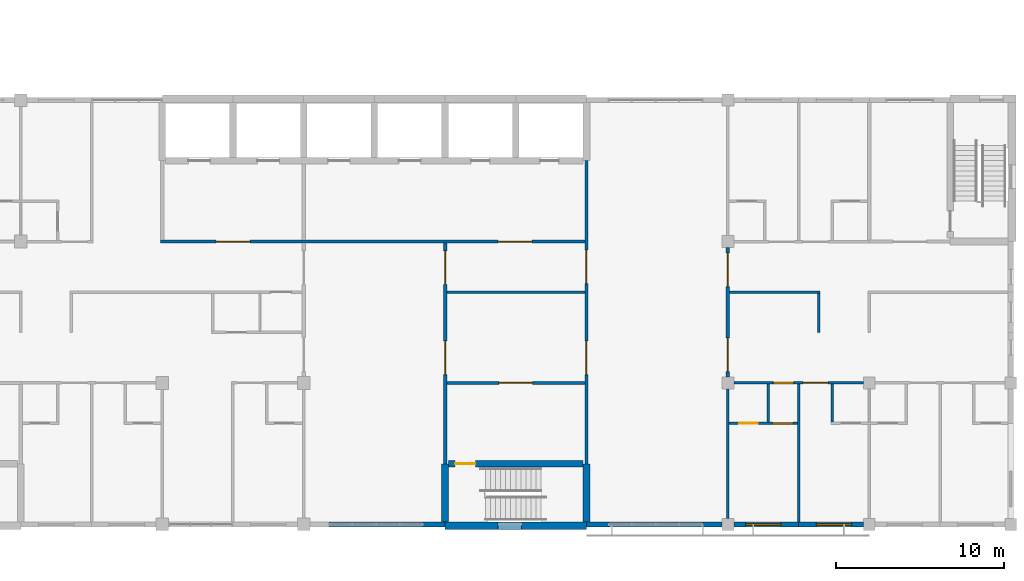
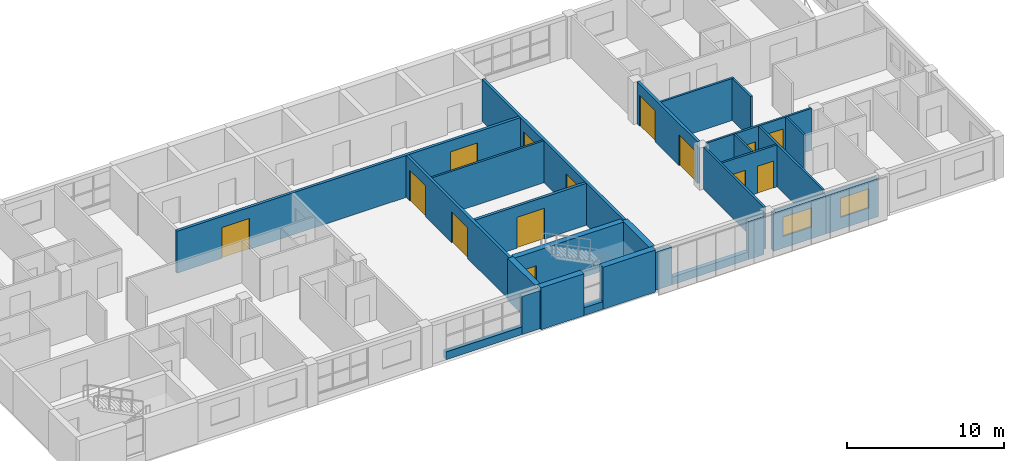
# One storey, part 36 of 46: 27 walls, 14 doors, 2 windows, 16 openings.
"""IFC4 building model written with IfcOpenShell, lengths in metres."""

from ifc_helpers import new_model, si_unit, direction, frame, frame_2d, origin, place, context, subcontext, project, spatial, rectangle, extrude, material, layer, layer_set, type_object, element, fill, save


model = new_model("IFC4")

# Units and contexts
model_context = context("Model", 3, precision=1e-05, world=origin(), true_north=direction((0.0, 1.0)))
body_context = subcontext(model_context, "Body", "Model", "MODEL_VIEW")
ifc_project = project(units=[si_unit("LENGTHUNIT", "METRE"), si_unit("AREAUNIT", "SQUARE_METRE"), si_unit("VOLUMEUNIT", "CUBIC_METRE"), si_unit("PLANEANGLEUNIT", "RADIAN"), si_unit("MASSUNIT", "GRAM", prefix="KILO")], contexts=[model_context])

# Site, building, storey
site_placement = place(None, origin())
site = spatial("IfcSite", under=ifc_project, at=site_placement, CompositionType="ELEMENT")
building_placement = place(site_placement, origin())
building = spatial("IfcBuilding", under=site, at=building_placement, Name="Yavir Park General Hospital", CompositionType="ELEMENT")
storey_placement = place(building_placement, frame((0.0, 0.0, 18.89990234375)))
storey = spatial("IfcBuildingStorey", under=building, at=storey_placement, Name="L04", CompositionType="ELEMENT", Elevation=18.89990234375)

# Wall, opening, door
ifc_material_1 = material(Name="Double gypsum board fire partition on steel studs", Category="steel")
ifc_layer_1 = layer(ifc_material_1, 0.199951171875)
ifc_layer_set_1 = layer_set([ifc_layer_1], Name="Double gypsum board fire partition on steel studs")
wall_type_1 = type_object("IfcWallType", Name="Fire-rated partition 200, EI 60", PredefinedType="PARTITIONING", material=ifc_layer_set_1)
wall_1_placement = place(storey_placement, frame((134.5, 8.39990234375, 0.0), z_axis=(0.0, 0.0, 1.0), x_axis=(1.0, 0.0, 0.0)))
wall_1 = element("IfcWall", 1, at=wall_1_placement, inside=storey, type_object=wall_type_1, Name="FP20 L04-021", PredefinedType="PARTITIONING", context=body_context, shape_type="SweptSolid", body=[
    extrude(rectangle(XDim=8.199951171875, YDim=0.199951171875, at=frame_2d((4.10009765625, 0.0))), origin(), (0.0, 0.0, 1.0), 3.260009765625),
])
opening_1_placement = place(wall_1_placement, frame((3.10009765625, 0.0, 0.0)))
opening_1 = element("IfcOpeningElement", 2, at=opening_1_placement, cuts=wall_1, Name="Opening L04.D027", PredefinedType="OPENING", context=body_context, shape_type="SweptSolid", body=[
    extrude(rectangle(XDim=2.0, YDim=2.39990234375, at=frame_2d((1.0, 1.199951171875))), frame((0.0, 0.10986328125, 0.0), z_axis=(0.0, -1.0, 0.0), x_axis=(1.0, 0.0, 0.0)), (0.0, 0.0, 1.0), 0.219970703125),
])
ifc_material_2 = material(Name="Steel frame, fire-resisting leaves with vision panels", Category="steel")
door_type_1 = type_object("IfcDoorType", Name="Double fire door with vision panels 2000 x 2400, EI 60", OperationType="DOUBLE_DOOR_SINGLE_SWING", PredefinedType="DOOR", material=ifc_material_2)
door_1_placement = place(opening_1_placement, origin())
door_1 = element("IfcDoor", 3, at=door_1_placement, inside=storey, type_object=door_type_1, Name="L04.D027", OperationType="SINGLE_SWING_LEFT", OverallHeight=2.39990234375, OverallWidth=2.0, PredefinedType="DOOR", context=body_context, shape_type="SweptSolid", body=[
    extrude(rectangle(XDim=2.0, YDim=2.39990234375, at=frame_2d((1.0, 1.199951171875))), frame((0.0, 0.030029296875, 0.0), z_axis=(0.0, -1.0, 0.0), x_axis=(1.0, 0.0, 0.0)), (0.0, 0.0, 1.0), 0.06005859375),
])
fill(opening_1, door_1)

# Wall, openings, doors
wall_2_placement = place(storey_placement, frame((117.5, 16.800048828125, 0.0), z_axis=(0.0, 0.0, 1.0), x_axis=(1.0, 0.0, 0.0)))
wall_2 = element("IfcWall", 4, at=wall_2_placement, inside=storey, type_object=wall_type_1, Name="FP20 L04-043", PredefinedType="PARTITIONING", context=body_context, shape_type="SweptSolid", body=[
    extrude(rectangle(XDim=25.199951171875, YDim=0.199951171875, at=frame_2d((12.60009765625, 0.0))), origin(), (0.0, 0.0, 1.0), 3.260009765625),
])
opening_2_placement = place(wall_2_placement, frame((3.300048828125, 0.0, 0.0)))
opening_2 = element("IfcOpeningElement", 5, at=opening_2_placement, cuts=wall_2, Name="Opening L04.D044", PredefinedType="OPENING", context=body_context, shape_type="SweptSolid", body=[
    extrude(rectangle(XDim=2.0, YDim=2.39990234375, at=frame_2d((1.0, 1.199951171875))), frame((0.0, 0.10986328125, 0.0), z_axis=(0.0, -1.0, 0.0), x_axis=(1.0, 0.0, 0.0)), (0.0, 0.0, 1.0), 0.219970703125),
])
opening_3_placement = place(wall_2_placement, frame((20.050048828125, 0.0, 0.0)))
opening_3 = element("IfcOpeningElement", 6, at=opening_3_placement, cuts=wall_2, Name="Opening L04.D045", PredefinedType="OPENING", context=body_context, shape_type="SweptSolid", body=[
    extrude(rectangle(XDim=2.0, YDim=2.39990234375, at=frame_2d((1.0, 1.199951171875))), frame((0.0, 0.10986328125, 0.0), z_axis=(0.0, -1.0, 0.0), x_axis=(1.0, 0.0, 0.0)), (0.0, 0.0, 1.0), 0.219970703125),
])
door_2_placement = place(opening_2_placement, origin())
door_2 = element("IfcDoor", 7, at=door_2_placement, inside=storey, type_object=door_type_1, Name="L04.D044", OperationType="SINGLE_SWING_RIGHT", OverallHeight=2.39990234375, OverallWidth=2.0, PredefinedType="DOOR", context=body_context, shape_type="SweptSolid", body=[
    extrude(rectangle(XDim=2.0, YDim=2.39990234375, at=frame_2d((1.0, 1.199951171875))), frame((0.0, 0.030029296875, 0.0), z_axis=(0.0, -1.0, 0.0), x_axis=(1.0, 0.0, 0.0)), (0.0, 0.0, 1.0), 0.06005859375),
])
fill(opening_2, door_2)
door_3_placement = place(opening_3_placement, origin())
door_3 = element("IfcDoor", 8, at=door_3_placement, inside=storey, type_object=door_type_1, Name="L04.D045", OperationType="SINGLE_SWING_LEFT", OverallHeight=2.39990234375, OverallWidth=2.0, PredefinedType="DOOR", context=body_context, shape_type="SweptSolid", body=[
    extrude(rectangle(XDim=2.0, YDim=2.39990234375, at=frame_2d((1.0, 1.199951171875))), frame((0.0, 0.030029296875, 0.0), z_axis=(0.0, -1.0, 0.0), x_axis=(1.0, 0.0, 0.0)), (0.0, 0.0, 1.0), 0.06005859375),
])
fill(opening_3, door_3)

wall_3_placement = place(storey_placement, frame((134.39990234375, 3.60009765625, 0.0), z_axis=(0.0, 0.0, 1.0), x_axis=(0.0, 1.0, 0.0)))
wall_3 = element("IfcWall", 9, at=wall_3_placement, inside=storey, type_object=wall_type_1, Name="FP20 L04-253", PredefinedType="PARTITIONING", context=body_context, shape_type="SweptSolid", body=[
    extrude(rectangle(XDim=13.099853515625, YDim=0.199951171875, at=frame_2d((6.5498046875, 0.0))), origin(), (0.0, 0.0, 1.0), 3.260009765625),
])
opening_4_placement = place(wall_3_placement, frame((5.300048828125, 0.0, 0.0)))
opening_4 = element("IfcOpeningElement", 10, at=opening_4_placement, cuts=wall_3, Name="Opening L04.D147", PredefinedType="OPENING", context=body_context, shape_type="SweptSolid", body=[
    extrude(rectangle(XDim=2.0, YDim=2.39990234375, at=frame_2d((1.0, 1.199951171875))), frame((0.0, 0.10986328125, 0.0), z_axis=(0.0, -1.0, 0.0), x_axis=(1.0, 0.0, 0.0)), (0.0, 0.0, 1.0), 0.219970703125),
])
opening_5_placement = place(wall_3_placement, frame((10.64990234375, 0.0, 0.0)))
opening_5 = element("IfcOpeningElement", 11, at=opening_5_placement, cuts=wall_3, Name="Opening L04.D148", PredefinedType="OPENING", context=body_context, shape_type="SweptSolid", body=[
    extrude(rectangle(XDim=2.0, YDim=2.39990234375, at=frame_2d((1.0, 1.199951171875))), frame((0.0, 0.10986328125, 0.0), z_axis=(0.0, -1.0, 0.0), x_axis=(1.0, 0.0, 0.0)), (0.0, 0.0, 1.0), 0.219970703125),
])
door_4_placement = place(opening_4_placement, origin())
door_4 = element("IfcDoor", 12, at=door_4_placement, inside=storey, type_object=door_type_1, Name="L04.D147", OperationType="SINGLE_SWING_LEFT", OverallHeight=2.39990234375, OverallWidth=2.0, PredefinedType="DOOR", context=body_context, shape_type="SweptSolid", body=[
    extrude(rectangle(XDim=2.0, YDim=2.39990234375, at=frame_2d((1.0, 1.199951171875))), frame((0.0, 0.030029296875, 0.0), z_axis=(0.0, -1.0, 0.0), x_axis=(1.0, 0.0, 0.0)), (0.0, 0.0, 1.0), 0.06005859375),
])
fill(opening_4, door_4)
door_5_placement = place(opening_5_placement, origin())
door_5 = element("IfcDoor", 13, at=door_5_placement, inside=storey, type_object=door_type_1, Name="L04.D148", OperationType="SINGLE_SWING_LEFT", OverallHeight=2.39990234375, OverallWidth=2.0, PredefinedType="DOOR", context=body_context, shape_type="SweptSolid", body=[
    extrude(rectangle(XDim=2.0, YDim=2.39990234375, at=frame_2d((1.0, 1.199951171875))), frame((0.0, 0.030029296875, 0.0), z_axis=(0.0, -1.0, 0.0), x_axis=(1.0, 0.0, 0.0)), (0.0, 0.0, 1.0), 0.06005859375),
])
fill(opening_5, door_5)

wall_4_placement = place(storey_placement, frame((142.800048828125, 3.60009765625, 0.0), z_axis=(0.0, 0.0, 1.0), x_axis=(0.0, 1.0, 0.0)))
wall_4 = element("IfcWall", 14, at=wall_4_placement, inside=storey, type_object=wall_type_1, Name="FP20 L04-257", PredefinedType="PARTITIONING", context=body_context, shape_type="SweptSolid", body=[
    extrude(rectangle(XDim=18.0, YDim=0.199951171875, at=frame_2d((9.0, 0.0))), origin(), (0.0, 0.0, 1.0), 3.260009765625),
])
opening_6_placement = place(wall_4_placement, frame((5.300048828125, 0.0, 0.0)))
opening_6 = element("IfcOpeningElement", 15, at=opening_6_placement, cuts=wall_4, Name="Opening L04.D149", PredefinedType="OPENING", context=body_context, shape_type="SweptSolid", body=[
    extrude(rectangle(XDim=2.0, YDim=2.39990234375, at=frame_2d((1.0, 1.199951171875))), frame((0.0, 0.10986328125, 0.0), z_axis=(0.0, -1.0, 0.0), x_axis=(1.0, 0.0, 0.0)), (0.0, 0.0, 1.0), 0.219970703125),
])
opening_7_placement = place(wall_4_placement, frame((10.699951171875, 0.0, 0.0)))
opening_7 = element("IfcOpeningElement", 16, at=opening_7_placement, cuts=wall_4, Name="Opening L04.D150", PredefinedType="OPENING", context=body_context, shape_type="SweptSolid", body=[
    extrude(rectangle(XDim=2.0, YDim=2.39990234375, at=frame_2d((1.0, 1.199951171875))), frame((0.0, 0.10986328125, 0.0), z_axis=(0.0, -1.0, 0.0), x_axis=(1.0, 0.0, 0.0)), (0.0, 0.0, 1.0), 0.219970703125),
])
door_6_placement = place(opening_6_placement, origin())
door_6 = element("IfcDoor", 17, at=door_6_placement, inside=storey, type_object=door_type_1, Name="L04.D149", OperationType="SINGLE_SWING_RIGHT", OverallHeight=2.39990234375, OverallWidth=2.0, PredefinedType="DOOR", context=body_context, shape_type="SweptSolid", body=[
    extrude(rectangle(XDim=2.0, YDim=2.39990234375, at=frame_2d((1.0, 1.199951171875))), frame((0.0, 0.030029296875, 0.0), z_axis=(0.0, -1.0, 0.0), x_axis=(1.0, 0.0, 0.0)), (0.0, 0.0, 1.0), 0.06005859375),
])
fill(opening_6, door_6)
door_7_placement = place(opening_7_placement, origin())
door_7 = element("IfcDoor", 18, at=door_7_placement, inside=storey, type_object=door_type_1, Name="L04.D150", OperationType="SINGLE_SWING_RIGHT", OverallHeight=2.39990234375, OverallWidth=2.0, PredefinedType="DOOR", context=body_context, shape_type="SweptSolid", body=[
    extrude(rectangle(XDim=2.0, YDim=2.39990234375, at=frame_2d((1.0, 1.199951171875))), frame((0.0, 0.030029296875, 0.0), z_axis=(0.0, -1.0, 0.0), x_axis=(1.0, 0.0, 0.0)), (0.0, 0.0, 1.0), 0.06005859375),
])
fill(opening_7, door_7)

wall_5_placement = place(storey_placement, frame((151.199951171875, 8.75, 0.0), z_axis=(0.0, 0.0, 1.0), x_axis=(0.0, 1.0, 0.0)))
wall_5 = element("IfcWall", 19, at=wall_5_placement, inside=storey, type_object=wall_type_1, Name="FP20 L04-260", PredefinedType="PARTITIONING", context=body_context, shape_type="SweptSolid", body=[
    extrude(rectangle(XDim=7.699951171875, YDim=0.199951171875, at=frame_2d((3.85009765625, 0.0))), origin(), (0.0, 0.0, 1.0), 3.260009765625),
])
opening_8_placement = place(wall_5_placement, frame((0.324951171875, 0.0, 0.0)))
opening_8 = element("IfcOpeningElement", 20, at=opening_8_placement, cuts=wall_5, Name="Opening L04.D151", PredefinedType="OPENING", context=body_context, shape_type="SweptSolid", body=[
    extrude(rectangle(XDim=2.0, YDim=2.39990234375, at=frame_2d((1.0, 1.199951171875))), frame((0.0, 0.10986328125, 0.0), z_axis=(0.0, -1.0, 0.0), x_axis=(1.0, 0.0, 0.0)), (0.0, 0.0, 1.0), 0.219970703125),
])
opening_9_placement = place(wall_5_placement, frame((5.375, 0.0, 0.0)))
opening_9 = element("IfcOpeningElement", 21, at=opening_9_placement, cuts=wall_5, Name="Opening L04.D152", PredefinedType="OPENING", context=body_context, shape_type="SweptSolid", body=[
    extrude(rectangle(XDim=2.0, YDim=2.39990234375, at=frame_2d((1.0, 1.199951171875))), frame((0.0, 0.10986328125, 0.0), z_axis=(0.0, -1.0, 0.0), x_axis=(1.0, 0.0, 0.0)), (0.0, 0.0, 1.0), 0.219970703125),
])
door_8_placement = place(opening_8_placement, origin())
door_8 = element("IfcDoor", 22, at=door_8_placement, inside=storey, type_object=door_type_1, Name="L04.D151", OperationType="SINGLE_SWING_RIGHT", OverallHeight=2.39990234375, OverallWidth=2.0, PredefinedType="DOOR", context=body_context, shape_type="SweptSolid", body=[
    extrude(rectangle(XDim=2.0, YDim=2.39990234375, at=frame_2d((1.0, 1.199951171875))), frame((0.0, 0.030029296875, 0.0), z_axis=(0.0, -1.0, 0.0), x_axis=(1.0, 0.0, 0.0)), (0.0, 0.0, 1.0), 0.06005859375),
])
fill(opening_8, door_8)
door_9_placement = place(opening_9_placement, origin())
door_9 = element("IfcDoor", 23, at=door_9_placement, inside=storey, type_object=door_type_1, Name="L04.D152", OperationType="SINGLE_SWING_LEFT", OverallHeight=2.39990234375, OverallWidth=2.0, PredefinedType="DOOR", context=body_context, shape_type="SweptSolid", body=[
    extrude(rectangle(XDim=2.0, YDim=2.39990234375, at=frame_2d((1.0, 1.199951171875))), frame((0.0, 0.030029296875, 0.0), z_axis=(0.0, -1.0, 0.0), x_axis=(1.0, 0.0, 0.0)), (0.0, 0.0, 1.0), 0.06005859375),
])
fill(opening_9, door_9)

ifc_material_3 = material(Name="Gypsum board partition on steel studs", Category="steel")
ifc_layer_2 = layer(ifc_material_3, 0.14990234375)
ifc_layer_set_2 = layer_set([ifc_layer_2], Name="Gypsum board partition on steel studs")
wall_type_2 = type_object("IfcWallType", Name="Gypsum board partition 150", PredefinedType="PARTITIONING", material=ifc_layer_set_2)
wall_6_placement = place(storey_placement, frame((151.27490234375, 6.0, 0.0), z_axis=(0.0, 0.0, 1.0), x_axis=(1.0, 0.0, 0.0)))
wall_6 = element("IfcWall", 24, at=wall_6_placement, inside=storey, type_object=wall_type_2, Name="P15 L04-011", PredefinedType="PARTITIONING", context=body_context, shape_type="SweptSolid", body=[
    extrude(rectangle(XDim=4.050048828125, YDim=0.14990234375, at=frame_2d((2.02490234375, 0.0))), origin(), (0.0, 0.0, 1.0), 3.260009765625),
])
opening_10_placement = place(wall_6_placement, frame((0.612548828125, 0.0, 0.0)))
opening_10 = element("IfcOpeningElement", 25, at=opening_10_placement, cuts=wall_6, Name="Opening L04.D012", PredefinedType="OPENING", context=body_context, shape_type="SweptSolid", body=[
    extrude(rectangle(XDim=1.10009765625, YDim=2.10009765625, at=frame_2d((0.550048828125, 1.050048828125))), frame((0.0, 0.0849609375, 0.0), z_axis=(0.0, -1.0, 0.0), x_axis=(1.0, 0.0, 0.0)), (0.0, 0.0, 1.0), 0.169921875),
])
opening_11_placement = place(wall_6_placement, frame((2.58740234375, 0.0, 0.0)))
opening_11 = element("IfcOpeningElement", 26, at=opening_11_placement, cuts=wall_6, Name="Opening L04.D013", PredefinedType="OPENING", context=body_context, shape_type="SweptSolid", body=[
    extrude(rectangle(XDim=1.199951171875, YDim=2.10009765625, at=frame_2d((0.60009765625, 1.050048828125))), frame((0.0, 0.0849609375, 0.0), z_axis=(0.0, -1.0, 0.0), x_axis=(1.0, 0.0, 0.0)), (0.0, 0.0, 1.0), 0.169921875),
])
ifc_material_4 = material(Name="Sealed steel door leaf, compression seals", Category="steel")
door_type_2 = type_object("IfcDoorType", Name="Isolation airlock door 1200 x 2100", OperationType="SINGLE_SWING_LEFT", PredefinedType="DOOR", material=ifc_material_4)
door_10_placement = place(opening_11_placement, origin())
door_10 = element("IfcDoor", 27, at=door_10_placement, inside=storey, type_object=door_type_2, Name="L04.D013", OperationType="SINGLE_SWING_RIGHT", OverallHeight=2.10009765625, OverallWidth=1.199951171875, PredefinedType="DOOR", context=body_context, shape_type="SweptSolid", body=[
    extrude(rectangle(XDim=1.199951171875, YDim=2.10009765625, at=frame_2d((0.60009765625, 1.050048828125))), frame((0.0, 0.050048828125, 0.0), z_axis=(0.0, -1.0, 0.0), x_axis=(1.0, 0.0, 0.0)), (0.0, 0.0, 1.0), 0.10009765625),
])
fill(opening_11, door_10)
ifc_material_5 = material(Name="Hollow metal frame, solid-core timber leaf", Category="wood")
door_type_3 = type_object("IfcDoorType", Name="Single swing door 1100 x 2100", OperationType="SINGLE_SWING_LEFT", PredefinedType="DOOR", material=ifc_material_5)
door_11_placement = place(opening_10_placement, origin())
door_11 = element("IfcDoor", 28, at=door_11_placement, inside=storey, type_object=door_type_3, Name="L04.D012", OperationType="SINGLE_SWING_LEFT", OverallHeight=2.10009765625, OverallWidth=1.10009765625, PredefinedType="DOOR", context=body_context, shape_type="SweptSolid", body=[
    extrude(rectangle(XDim=1.10009765625, YDim=2.10009765625, at=frame_2d((0.550048828125, 1.050048828125))), frame((0.0, 0.02490234375, 0.0), z_axis=(0.0, -1.0, 0.0), x_axis=(1.0, 0.0, 0.0)), (0.0, 0.0, 1.0), 0.050048828125),
])
fill(opening_10, door_11)

wall_7_placement = place(storey_placement, frame((151.550048828125, 8.39990234375, 0.0), z_axis=(0.0, 0.0, 1.0), x_axis=(1.0, 0.0, 0.0)))
wall_7 = element("IfcWall", 29, at=wall_7_placement, inside=storey, type_object=wall_type_2, Name="P15 L04-022", PredefinedType="PARTITIONING", context=body_context, shape_type="SweptSolid", body=[
    extrude(rectangle(XDim=7.699951171875, YDim=0.14990234375, at=frame_2d((3.85009765625, 0.0))), origin(), (0.0, 0.0, 1.0), 3.260009765625),
])
opening_12_placement = place(wall_7_placement, frame((2.35009765625, 0.0, 0.0)))
opening_12 = element("IfcOpeningElement", 30, at=opening_12_placement, cuts=wall_7, Name="Opening L04.D028", PredefinedType="OPENING", context=body_context, shape_type="SweptSolid", body=[
    extrude(rectangle(XDim=1.199951171875, YDim=2.10009765625, at=frame_2d((0.60009765625, 1.050048828125))), frame((0.0, 0.0849609375, 0.0), z_axis=(0.0, -1.0, 0.0), x_axis=(1.0, 0.0, 0.0)), (0.0, 0.0, 1.0), 0.169921875),
])
opening_13_placement = place(wall_7_placement, frame((4.10009765625, 0.0, 0.0)))
opening_13 = element("IfcOpeningElement", 31, at=opening_13_placement, cuts=wall_7, Name="Opening L04.D029", PredefinedType="OPENING", context=body_context, shape_type="SweptSolid", body=[
    extrude(rectangle(XDim=1.5, YDim=2.39990234375, at=frame_2d((0.75, 1.199951171875))), frame((0.0, 0.0849609375, 0.0), z_axis=(0.0, -1.0, 0.0), x_axis=(1.0, 0.0, 0.0)), (0.0, 0.0, 1.0), 0.169921875),
])
ifc_material_6 = material(Name="Solid-core timber leaves, push plates, kick plates", Category="wood")
door_type_4 = type_object("IfcDoorType", Name="Bed door, unequal leaves 1500 x 2400", OperationType="DOUBLE_DOOR_SINGLE_SWING", PredefinedType="DOOR", material=ifc_material_6)
door_12_placement = place(opening_13_placement, origin())
door_12 = element("IfcDoor", 32, at=door_12_placement, inside=storey, type_object=door_type_4, Name="L04.D029", OperationType="SINGLE_SWING_LEFT", OverallHeight=2.39990234375, OverallWidth=1.5, PredefinedType="DOOR", context=body_context, shape_type="SweptSolid", body=[
    extrude(rectangle(XDim=1.5, YDim=2.39990234375, at=frame_2d((0.75, 1.199951171875))), frame((0.0, 0.030029296875, 0.0), z_axis=(0.0, -1.0, 0.0), x_axis=(1.0, 0.0, 0.0)), (0.0, 0.0, 1.0), 0.06005859375),
])
fill(opening_13, door_12)
door_13_placement = place(opening_12_placement, origin())
door_13 = element("IfcDoor", 33, at=door_13_placement, inside=storey, type_object=door_type_2, Name="L04.D028", OperationType="SINGLE_SWING_LEFT", OverallHeight=2.10009765625, OverallWidth=1.199951171875, PredefinedType="DOOR", context=body_context, shape_type="SweptSolid", body=[
    extrude(rectangle(XDim=1.199951171875, YDim=2.10009765625, at=frame_2d((0.60009765625, 1.050048828125))), frame((0.0, 0.050048828125, 0.0), z_axis=(0.0, -1.0, 0.0), x_axis=(1.0, 0.0, 0.0)), (0.0, 0.0, 1.0), 0.10009765625),
])
fill(opening_12, door_13)

# Walls
wall_8_placement = place(storey_placement, frame((134.5, 13.800048828125, 0.0), z_axis=(0.0, 0.0, 1.0), x_axis=(1.0, 0.0, 0.0)))
element("IfcWall", 34, at=wall_8_placement, inside=storey, type_object=wall_type_2, Name="P15 L04-033", PredefinedType="PARTITIONING", context=body_context, shape_type="SweptSolid", body=[
    extrude(rectangle(XDim=8.199951171875, YDim=0.14990234375, at=frame_2d((4.10009765625, 0.0))), origin(), (0.0, 0.0, 1.0), 3.260009765625),
])
wall_9_placement = place(storey_placement, frame((151.300048828125, 13.800048828125, 0.0), z_axis=(0.0, 0.0, 1.0), x_axis=(1.0, 0.0, 0.0)))
element("IfcWall", 35, at=wall_9_placement, inside=storey, type_object=wall_type_2, Name="P15 L04-034", PredefinedType="PARTITIONING", context=body_context, shape_type="SweptSolid", body=[
    extrude(rectangle(XDim=5.375, YDim=0.14990234375, at=frame_2d((2.6875, 0.0))), origin(), (0.0, 0.0, 1.0), 3.260009765625),
])
wall_10_placement = place(storey_placement, frame((151.199951171875, 0.35009765625, 0.0), z_axis=(0.0, 0.0, 1.0), x_axis=(0.0, 1.0, 0.0)))
element("IfcWall", 36, at=wall_10_placement, inside=storey, type_object=wall_type_2, Name="P15 L04-259", PredefinedType="PARTITIONING", context=body_context, shape_type="SweptSolid", body=[
    extrude(rectangle(XDim=7.699951171875, YDim=0.14990234375, at=frame_2d((3.85009765625, 0.0))), origin(), (0.0, 0.0, 1.0), 3.260009765625),
])
wall_11_placement = place(storey_placement, frame((153.60009765625, 6.074951171875, 0.0), z_axis=(0.0, 0.0, 1.0), x_axis=(0.0, 1.0, 0.0)))
element("IfcWall", 37, at=wall_11_placement, inside=storey, type_object=wall_type_2, Name="P15 L04-263", PredefinedType="PARTITIONING", context=body_context, shape_type="SweptSolid", body=[
    extrude(rectangle(XDim=2.25, YDim=0.14990234375, at=frame_2d((1.125, 0.0))), origin(), (0.0, 0.0, 1.0), 3.260009765625),
])
wall_12_placement = place(storey_placement, frame((155.39990234375, 0.14990234375, 0.0), z_axis=(0.0, 0.0, 1.0), x_axis=(0.0, 1.0, 0.0)))
element("IfcWall", 38, at=wall_12_placement, inside=storey, type_object=wall_type_2, Name="P15 L04-264", PredefinedType="PARTITIONING", context=body_context, shape_type="SweptSolid", body=[
    extrude(rectangle(XDim=8.175048828125, YDim=0.14990234375, at=frame_2d((4.08740234375, 0.0))), origin(), (0.0, 0.0, 1.0), 3.260009765625),
])
wall_13_placement = place(storey_placement, frame((156.60009765625, 11.39990234375, 0.0), z_axis=(0.0, 0.0, 1.0), x_axis=(0.0, 1.0, 0.0)))
element("IfcWall", 39, at=wall_13_placement, inside=storey, type_object=wall_type_2, Name="P15 L04-266", PredefinedType="PARTITIONING", context=body_context, shape_type="SweptSolid", body=[
    extrude(rectangle(XDim=2.3251953125, YDim=0.14990234375, at=frame_2d((1.16259765625, 0.0))), origin(), (0.0, 0.0, 1.0), 3.260009765625),
])
wall_14_placement = place(storey_placement, frame((157.39990234375, 6.074951171875, 0.0), z_axis=(0.0, 0.0, 1.0), x_axis=(0.0, 1.0, 0.0)))
element("IfcWall", 40, at=wall_14_placement, inside=storey, type_object=wall_type_2, Name="P15 L04-267", PredefinedType="PARTITIONING", context=body_context, shape_type="SweptSolid", body=[
    extrude(rectangle(XDim=2.25, YDim=0.14990234375, at=frame_2d((1.125, 0.0))), origin(), (0.0, 0.0, 1.0), 3.260009765625),
])
ifc_material_7 = material(Name="Autoclaved aerated block, mineral wool and ochre mineral render")
ifc_layer_3 = layer(ifc_material_7, 0.300048828125)
ifc_layer_set_3 = layer_set([ifc_layer_3], Name="Autoclaved aerated block, mineral wool and ochre mineral render")
wall_type_3 = type_object("IfcWallType", Name="Ochre render ward wall 300, E 30", PredefinedType="SOLIDWALL", material=ifc_layer_set_3)
wall_15_placement = place(storey_placement, frame((133.10009765625, 0.0, 0.0), z_axis=(0.0, 0.0, 1.0), x_axis=(1.0, 0.0, 0.0)))
element("IfcWall", 41, at=wall_15_placement, inside=storey, type_object=wall_type_3, Name="XW7 L04-021", PredefinedType="SOLIDWALL", context=body_context, shape_type="SweptSolid", body=[
    extrude(rectangle(XDim=1.2998046875, YDim=0.300048828125, at=frame_2d((0.64990234375, 0.0))), origin(), (0.0, 0.0, 1.0), 2.960205078125),
])
wall_16_placement = place(storey_placement, frame((127.5, 0.0, 0.0), z_axis=(0.0, 0.0, 1.0), x_axis=(1.0, 0.0, 0.0)))
element("IfcWall", 42, at=wall_16_placement, inside=storey, type_object=wall_type_3, Name="XW7 L04-022", PredefinedType="SOLIDWALL", context=body_context, shape_type="SweptSolid", body=[
    extrude(rectangle(XDim=5.60009765625, YDim=0.300048828125, at=frame_2d((2.800048828125, 0.0))), origin(), (0.0, 0.0, 1.0), 0.60009765625),
])
wall_17_placement = place(storey_placement, frame((142.800048828125, 0.0, 0.0), z_axis=(0.0, 0.0, 1.0), x_axis=(1.0, 0.0, 0.0)))
element("IfcWall", 43, at=wall_17_placement, inside=storey, type_object=wall_type_3, Name="XW7 L04-026", PredefinedType="SOLIDWALL", context=body_context, shape_type="SweptSolid", body=[
    extrude(rectangle(XDim=1.300048828125, YDim=0.300048828125, at=frame_2d((0.64990234375, 0.0))), origin(), (0.0, 0.0, 1.0), 2.960205078125),
])
wall_18_placement = place(storey_placement, frame((149.699951171875, 0.0, 0.0), z_axis=(0.0, 0.0, 1.0), x_axis=(1.0, 0.0, 0.0)))
element("IfcWall", 44, at=wall_18_placement, inside=storey, type_object=wall_type_3, Name="XW7 L04-027", PredefinedType="SOLIDWALL", context=body_context, shape_type="SweptSolid", body=[
    extrude(rectangle(XDim=1.150146484375, YDim=0.300048828125, at=frame_2d((0.5751953125, 0.0))), origin(), (0.0, 0.0, 1.0), 2.960205078125),
])
wall_19_placement = place(storey_placement, frame((144.10009765625, 0.0, 0.0), z_axis=(0.0, 0.0, 1.0), x_axis=(1.0, 0.0, 0.0)))
element("IfcWall", 45, at=wall_19_placement, inside=storey, type_object=wall_type_3, Name="XW7 L04-028", PredefinedType="SOLIDWALL", context=body_context, shape_type="SweptSolid", body=[
    extrude(rectangle(XDim=5.599853515625, YDim=0.300048828125, at=frame_2d((2.7998046875, 0.0))), origin(), (0.0, 0.0, 1.0), 0.60009765625),
])

# Wall, opening, window
wall_20_placement = place(storey_placement, frame((151.550048828125, 0.0, 0.0), z_axis=(0.0, 0.0, 1.0), x_axis=(1.0, 0.0, 0.0)))
wall_20 = element("IfcWall", 46, at=wall_20_placement, inside=storey, type_object=wall_type_3, Name="XW7 L04-029", PredefinedType="SOLIDWALL", context=body_context, shape_type="SweptSolid", body=[
    extrude(rectangle(XDim=3.849853515625, YDim=0.300048828125, at=frame_2d((1.9248046875, 0.0))), origin(), (0.0, 0.0, 1.0), 2.960205078125),
])
opening_14_placement = place(wall_20_placement, frame((0.699951171875, 0.0, 0.89990234375)))
opening_14 = element("IfcOpeningElement", 47, at=opening_14_placement, cuts=wall_20, Name="Opening WI", PredefinedType="OPENING", context=body_context, shape_type="SweptSolid", body=[
    extrude(rectangle(XDim=2.10009765625, YDim=1.5, at=frame_2d((1.050048828125, 0.75))), frame((0.0, 0.159912109375, 0.0), z_axis=(0.0, -1.0, 0.0), x_axis=(1.0, 0.0, 0.0)), (0.0, 0.0, 1.0), 0.320068359375),
])
ifc_material_8 = material(Name="Aluminium frame, acoustic glazed unit", Category="aluminium")
window_type_1 = type_object("IfcWindowType", Name="Acoustic glazed window 2100 x 1500", PartitioningType="SINGLE_PANEL", PredefinedType="WINDOW", material=ifc_material_8)
window_1_placement = place(opening_14_placement, origin())
window_1 = element("IfcWindow", 48, at=window_1_placement, inside=storey, type_object=window_type_1, Name="WI L04-009", OverallHeight=1.5, OverallWidth=2.10009765625, PartitioningType="SINGLE_PANEL", PredefinedType="WINDOW", context=body_context, shape_type="SweptSolid", body=[
    extrude(rectangle(XDim=2.10009765625, YDim=1.5, at=frame_2d((1.050048828125, 0.75))), frame((0.0, 0.044921875, 0.0), z_axis=(0.0, -1.0, 0.0), x_axis=(1.0, 0.0, 0.0)), (0.0, 0.0, 1.0), 0.090087890625),
])
fill(opening_14, window_1)

wall_21_placement = place(storey_placement, frame((155.39990234375, 0.0, 0.0), z_axis=(0.0, 0.0, 1.0), x_axis=(1.0, 0.0, 0.0)))
wall_21 = element("IfcWall", 49, at=wall_21_placement, inside=storey, type_object=wall_type_3, Name="XW7 L04-030", PredefinedType="SOLIDWALL", context=body_context, shape_type="SweptSolid", body=[
    extrude(rectangle(XDim=3.85009765625, YDim=0.300048828125, at=frame_2d((1.925048828125, 0.0))), origin(), (0.0, 0.0, 1.0), 2.960205078125),
])
opening_15_placement = place(wall_21_placement, frame((1.050048828125, 0.0, 0.89990234375)))
opening_15 = element("IfcOpeningElement", 50, at=opening_15_placement, cuts=wall_21, Name="Opening WAR", PredefinedType="OPENING", context=body_context, shape_type="SweptSolid", body=[
    extrude(rectangle(XDim=2.10009765625, YDim=1.5, at=frame_2d((1.050048828125, 0.75))), frame((0.0, 0.159912109375, 0.0), z_axis=(0.0, -1.0, 0.0), x_axis=(1.0, 0.0, 0.0)), (0.0, 0.0, 1.0), 0.320068359375),
])
ifc_material_9 = material(Name="Aluminium frame, tilt-and-turn sash with opening restrictor, double glazed unit", Category="aluminium")
window_type_2 = type_object("IfcWindowType", Name="Ward window, restricted opening 2100 x 1500", PartitioningType="DOUBLE_PANEL_VERTICAL", PredefinedType="WINDOW", material=ifc_material_9)
window_2_placement = place(opening_15_placement, origin())
window_2 = element("IfcWindow", 51, at=window_2_placement, inside=storey, type_object=window_type_2, Name="WAR L04-010", OverallHeight=1.5, OverallWidth=2.10009765625, PartitioningType="DOUBLE_PANEL_VERTICAL", PredefinedType="WINDOW", context=body_context, shape_type="SweptSolid", body=[
    extrude(rectangle(XDim=2.10009765625, YDim=1.5, at=frame_2d((1.050048828125, 0.75))), frame((0.0, 0.050048828125, 0.0), z_axis=(0.0, -1.0, 0.0), x_axis=(1.0, 0.0, 0.0)), (0.0, 0.0, 1.0), 0.10009765625),
])
fill(opening_15, window_2)

# Wall, opening, door
ifc_material_10 = material(Name="Concrete C35/45", Category="concrete")
ifc_layer_4 = layer(ifc_material_10, 0.39990234375)
ifc_layer_set_4 = layer_set([ifc_layer_4], Name="Concrete C35/45")
wall_type_4 = type_object("IfcWallType", Name="Reinforced concrete core wall 400, REI 150", PredefinedType="SHEAR", material=ifc_layer_set_4)
wall_22_placement = place(storey_placement, frame((134.60009765625, 3.60009765625, 0.0), z_axis=(0.0, 0.0, 1.0), x_axis=(1.0, 0.0, 0.0)))
wall_22 = element("IfcWall", 52, at=wall_22_placement, inside=storey, type_object=wall_type_4, Name="CW40 L04-003", PredefinedType="SHEAR", context=body_context, shape_type="SweptSolid", body=[
    extrude(rectangle(XDim=8.0, YDim=0.39990234375, at=frame_2d((4.0, 0.0))), origin(), (0.0, 0.0, 1.0), 3.260009765625),
])
opening_16_placement = place(wall_22_placement, frame((0.39990234375, 0.0, 0.0)))
opening_16 = element("IfcOpeningElement", 53, at=opening_16_placement, cuts=wall_22, Name="Opening L04.D003", PredefinedType="OPENING", context=body_context, shape_type="SweptSolid", body=[
    extrude(rectangle(XDim=1.199951171875, YDim=2.10009765625, at=frame_2d((0.60009765625, 1.050048828125))), frame((0.0, 0.2099609375, 0.0), z_axis=(0.0, -1.0, 0.0), x_axis=(1.0, 0.0, 0.0)), (0.0, 0.0, 1.0), 0.419921875),
])
ifc_material_11 = material(Name="Steel frame, fire-resisting timber leaf", Category="steel")
door_type_5 = type_object("IfcDoorType", Name="Fire door 1200 x 2100, EI 60", OperationType="SINGLE_SWING_LEFT", PredefinedType="DOOR", material=ifc_material_11)
door_14_placement = place(opening_16_placement, origin())
door_14 = element("IfcDoor", 54, at=door_14_placement, inside=storey, type_object=door_type_5, Name="L04.D003", OperationType="SINGLE_SWING_LEFT", OverallHeight=2.10009765625, OverallWidth=1.199951171875, PredefinedType="DOOR", context=body_context, shape_type="SweptSolid", body=[
    extrude(rectangle(XDim=1.199951171875, YDim=2.10009765625, at=frame_2d((0.60009765625, 1.050048828125))), frame((0.0, 0.02490234375, 0.0), z_axis=(0.0, -1.0, 0.0), x_axis=(1.0, 0.0, 0.0)), (0.0, 0.0, 1.0), 0.050048828125),
])
fill(opening_16, door_14)

# Walls
for number, where, z_axis, x_axis, name in (
    (55, (134.39990234375, 0.14990234375, 0.0), (0.0, 0.0, 1.0), (0.0, 1.0, 0.0), "CW40 L04-252"),
    (56, (142.800048828125, 0.14990234375, 0.0), (0.0, 0.0, 1.0), (0.0, 1.0, 0.0), "CW40 L04-256"),
):
    element("IfcWall", number, at=place(storey_placement, frame(where, z_axis=z_axis, x_axis=x_axis)), inside=storey, type_object=wall_type_4, Name=name, PredefinedType="SHEAR", context=body_context, shape_type="SweptSolid", body=[
        extrude(rectangle(XDim=3.4501953125, YDim=0.39990234375, at=frame_2d((1.72509765625, 0.0))), origin(), (0.0, 0.0, 1.0), 3.260009765625),
    ])
ifc_material_12 = material(Name="Concrete C30/37 precast panel with 150 mm mineral wool insulation", Category="concrete")
ifc_layer_5 = layer(ifc_material_12, 0.449951171875)
ifc_layer_set_5 = layer_set([ifc_layer_5], Name="Concrete C30/37 precast panel with 150 mm mineral wool insulation")
wall_type_5 = type_object("IfcWallType", Name="Stair enclosure wall 450, REI 150", PredefinedType="SOLIDWALL", material=ifc_layer_set_5)
wall_23_placement = place(storey_placement, frame((134.39990234375, -0.074951171875, 0.0), z_axis=(0.0, 0.0, 1.0), x_axis=(1.0, 0.0, 0.0)))
element("IfcWall", 57, at=wall_23_placement, inside=storey, type_object=wall_type_5, Name="XW6 L04-023", PredefinedType="SOLIDWALL", context=body_context, shape_type="SweptSolid", body=[
    extrude(rectangle(XDim=3.150146484375, YDim=0.449951171875, at=frame_2d((1.5751953125, 0.0))), origin(), (0.0, 0.0, 1.0), 3.260009765625),
])
wall_24_placement = place(storey_placement, frame((138.949951171875, -0.074951171875, 0.0), z_axis=(0.0, 0.0, 1.0), x_axis=(1.0, 0.0, 0.0)))
element("IfcWall", 58, at=wall_24_placement, inside=storey, type_object=wall_type_5, Name="XW6 L04-024", PredefinedType="SOLIDWALL", context=body_context, shape_type="SweptSolid", body=[
    extrude(rectangle(XDim=3.85009765625, YDim=0.449951171875, at=frame_2d((1.925048828125, 0.0))), origin(), (0.0, 0.0, 1.0), 3.260009765625),
])
wall_25_placement = place(storey_placement, frame((137.550048828125, -0.074951171875, 0.0), z_axis=(0.0, 0.0, 1.0), x_axis=(1.0, 0.0, 0.0)))
element("IfcWall", 59, at=wall_25_placement, inside=storey, type_object=wall_type_5, Name="XW6 L04-025", PredefinedType="SOLIDWALL", context=body_context, shape_type="SweptSolid", body=[
    extrude(rectangle(XDim=1.39990234375, YDim=0.449951171875, at=frame_2d((0.699951171875, 0.0))), origin(), (0.0, 0.0, 1.0), 0.60009765625),
])

save(model, "model.ifc")
